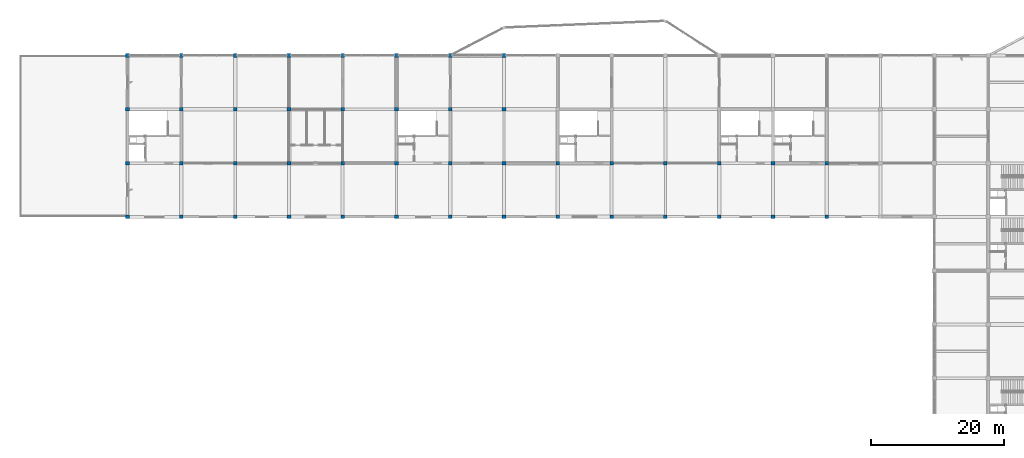
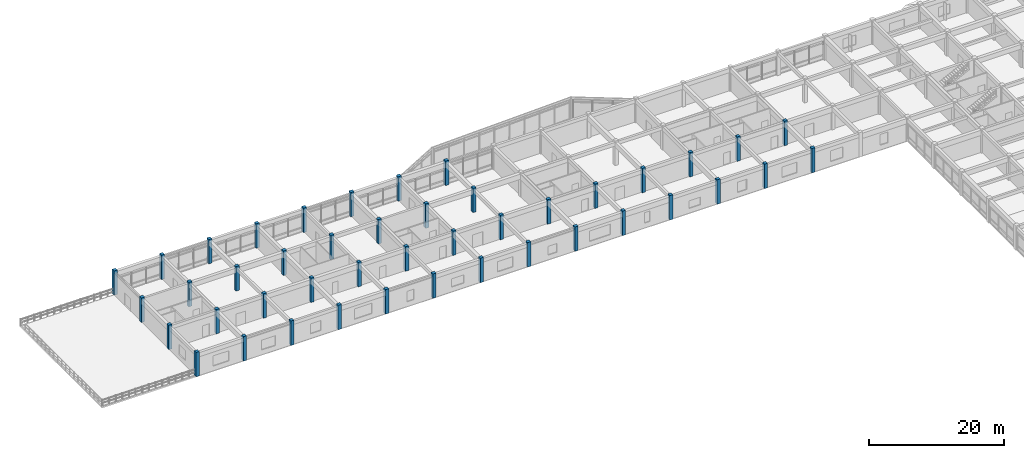
# One storey, part 1 of 40: 44 columns.
"""IFC4 building model written with IfcOpenShell, lengths in metres."""

from ifc_helpers import new_model, si_unit, direction, frame, origin, origin_2d, place, context, subcontext, project, spatial, rectangle, extrude, material, material_profile, profile_set, type_object, element, save


model = new_model("IFC4")

# Units and contexts
model_context = context("Model", 3, precision=1e-05, world=origin(), true_north=direction((0.0, 1.0)))
body_context = subcontext(model_context, "Body", "Model", "MODEL_VIEW")
ifc_project = project(units=[si_unit("LENGTHUNIT", "METRE"), si_unit("AREAUNIT", "SQUARE_METRE"), si_unit("VOLUMEUNIT", "CUBIC_METRE"), si_unit("PLANEANGLEUNIT", "RADIAN"), si_unit("MASSUNIT", "GRAM", prefix="KILO")], contexts=[model_context])

# Site, building, storey
site_placement = place(None, origin())
site = spatial("IfcSite", under=ifc_project, at=site_placement, CompositionType="ELEMENT")
building_placement = place(site_placement, origin())
building = spatial("IfcBuilding", under=site, at=building_placement, Name="Vaudrelin Polytechnic", CompositionType="ELEMENT")
storey_placement = place(building_placement, frame((0.0, 0.0, 22.949951171875)))
storey = spatial("IfcBuildingStorey", under=building, at=storey_placement, Name="L05", CompositionType="ELEMENT", Elevation=22.949951171875)

# Columns
ifc_material = material(Name="Concrete 40 MPa", Category="concrete")
ifc_material_profile = material_profile(ifc_material, rectangle(XDim=0.550048828125, YDim=0.550048828125, at=origin_2d()), Name="RC550x550")
ifc_profile_set = profile_set([ifc_material_profile], Name="Concrete 40 MPa")
column_type = type_object("IfcColumnType", Name="COL-C-RC550", PredefinedType="COLUMN", material=ifc_profile_set)
for number, where, z_axis, x_axis, name in (
    (1, (16.199951171875, 97.199951171875, 0.0), (0.0, 0.0, 1.0), (1.0, 0.0, 0.0), "Column L05 3-13"),
    (2, (16.199951171875, 105.300048828125, 0.0), (0.0, 0.0, 1.0), (1.0, 0.0, 0.0), "Column L05 3-14"),
    (3, (16.199951171875, 113.39990234375, 0.0), (0.0, 0.0, 1.0), (1.0, 0.0, 0.0), "Column L05 3-15"),
    (4, (16.199951171875, 121.5, 0.0), (0.0, 0.0, 1.0), (1.0, 0.0, 0.0), "Column L05 3-16"),
    (5, (24.300048828125, 97.199951171875, 0.0), (0.0, 0.0, 1.0), (1.0, 0.0, 0.0), "Column L05 4-13"),
    (6, (24.300048828125, 105.300048828125, 0.0), (0.0, 0.0, 1.0), (1.0, 0.0, 0.0), "Column L05 4-14"),
    (7, (24.300048828125, 113.39990234375, 0.0), (0.0, 0.0, 1.0), (1.0, 0.0, 0.0), "Column L05 4-15"),
    (8, (24.300048828125, 121.5, 0.0), (0.0, 0.0, 1.0), (1.0, 0.0, 0.0), "Column L05 4-16"),
    (9, (32.39990234375, 97.199951171875, 0.0), (0.0, 0.0, 1.0), (1.0, 0.0, 0.0), "Column L05 5-13"),
    (10, (32.39990234375, 105.300048828125, 0.0), (0.0, 0.0, 1.0), (1.0, 0.0, 0.0), "Column L05 5-14"),
    (11, (32.39990234375, 113.39990234375, 0.0), (0.0, 0.0, 1.0), (1.0, 0.0, 0.0), "Column L05 5-15"),
    (12, (32.39990234375, 121.5, 0.0), (0.0, 0.0, 1.0), (1.0, 0.0, 0.0), "Column L05 5-16"),
    (13, (40.5, 97.199951171875, 0.0), (0.0, 0.0, 1.0), (1.0, 0.0, 0.0), "Column L05 6-13"),
    (14, (40.5, 105.300048828125, 0.0), (0.0, 0.0, 1.0), (1.0, 0.0, 0.0), "Column L05 6-14"),
    (15, (40.5, 113.39990234375, 0.0), (0.0, 0.0, 1.0), (1.0, 0.0, 0.0), "Column L05 6-15"),
    (16, (40.5, 121.5, 0.0), (0.0, 0.0, 1.0), (1.0, 0.0, 0.0), "Column L05 6-16"),
    (17, (48.60009765625, 97.199951171875, 0.0), (0.0, 0.0, 1.0), (1.0, 0.0, 0.0), "Column L05 7-13"),
    (18, (48.60009765625, 105.300048828125, 0.0), (0.0, 0.0, 1.0), (1.0, 0.0, 0.0), "Column L05 7-14"),
    (19, (48.60009765625, 113.39990234375, 0.0), (0.0, 0.0, 1.0), (1.0, 0.0, 0.0), "Column L05 7-15"),
    (20, (48.60009765625, 121.5, 0.0), (0.0, 0.0, 1.0), (1.0, 0.0, 0.0), "Column L05 7-16"),
    (21, (56.699951171875, 97.199951171875, 0.0), (0.0, 0.0, 1.0), (1.0, 0.0, 0.0), "Column L05 8-13"),
    (22, (56.699951171875, 105.300048828125, 0.0), (0.0, 0.0, 1.0), (1.0, 0.0, 0.0), "Column L05 8-14"),
    (23, (56.699951171875, 113.39990234375, 0.0), (0.0, 0.0, 1.0), (1.0, 0.0, 0.0), "Column L05 8-15"),
    (24, (56.699951171875, 121.5, 0.0), (0.0, 0.0, 1.0), (1.0, 0.0, 0.0), "Column L05 8-16"),
    (25, (64.800048828125, 97.199951171875, 0.0), (0.0, 0.0, 1.0), (1.0, 0.0, 0.0), "Column L05 9-13"),
    (26, (64.800048828125, 105.300048828125, 0.0), (0.0, 0.0, 1.0), (1.0, 0.0, 0.0), "Column L05 9-14"),
    (27, (64.800048828125, 113.39990234375, 0.0), (0.0, 0.0, 1.0), (1.0, 0.0, 0.0), "Column L05 9-15"),
    (28, (64.800048828125, 121.5, 0.0), (0.0, 0.0, 1.0), (1.0, 0.0, 0.0), "Column L05 9-16"),
    (29, (72.89990234375, 97.199951171875, 0.0), (0.0, 0.0, 1.0), (1.0, 0.0, 0.0), "Column L05 10-13"),
    (30, (72.89990234375, 105.300048828125, 0.0), (0.0, 0.0, 1.0), (1.0, 0.0, 0.0), "Column L05 10-14"),
    (31, (72.89990234375, 113.39990234375, 0.0), (0.0, 0.0, 1.0), (1.0, 0.0, 0.0), "Column L05 10-15"),
    (32, (72.89990234375, 121.5, 0.0), (0.0, 0.0, 1.0), (1.0, 0.0, 0.0), "Column L05 10-16"),
    (33, (81.0, 97.199951171875, 0.0), (0.0, 0.0, 1.0), (1.0, 0.0, 0.0), "Column L05 11-13"),
    (34, (81.0, 105.300048828125, 0.0), (0.0, 0.0, 1.0), (1.0, 0.0, 0.0), "Column L05 11-14"),
    (35, (89.10009765625, 97.199951171875, 0.0), (0.0, 0.0, 1.0), (1.0, 0.0, 0.0), "Column L05 12-13"),
    (36, (89.10009765625, 105.300048828125, 0.0), (0.0, 0.0, 1.0), (1.0, 0.0, 0.0), "Column L05 12-14"),
    (37, (97.199951171875, 97.199951171875, 0.0), (0.0, 0.0, 1.0), (1.0, 0.0, 0.0), "Column L05 13-13"),
    (38, (97.199951171875, 105.300048828125, 0.0), (0.0, 0.0, 1.0), (1.0, 0.0, 0.0), "Column L05 13-14"),
    (39, (105.300048828125, 97.199951171875, 0.0), (0.0, 0.0, 1.0), (1.0, 0.0, 0.0), "Column L05 14-13"),
    (40, (105.300048828125, 105.300048828125, 0.0), (0.0, 0.0, 1.0), (1.0, 0.0, 0.0), "Column L05 14-14"),
    (41, (113.39990234375, 97.199951171875, 0.0), (0.0, 0.0, 1.0), (1.0, 0.0, 0.0), "Column L05 15-13"),
    (42, (113.39990234375, 105.300048828125, 0.0), (0.0, 0.0, 1.0), (1.0, 0.0, 0.0), "Column L05 15-14"),
    (43, (121.5, 97.199951171875, 0.0), (0.0, 0.0, 1.0), (1.0, 0.0, 0.0), "Column L05 16-13"),
    (44, (121.5, 105.300048828125, 0.0), (0.0, 0.0, 1.0), (1.0, 0.0, 0.0), "Column L05 16-14"),
):
    element("IfcColumn", number, at=place(storey_placement, frame(where, z_axis=z_axis, x_axis=x_axis)), inside=storey, type_object=column_type, Name=name, PredefinedType="COLUMN", context=body_context, shape_type="SweptSolid", body=[
        extrude(rectangle(XDim=0.550048828125, YDim=0.550048828125, at=origin_2d()), origin(), (0.0, 0.0, 1.0), 4.420166015625),
    ])

save(model, "model.ifc")
